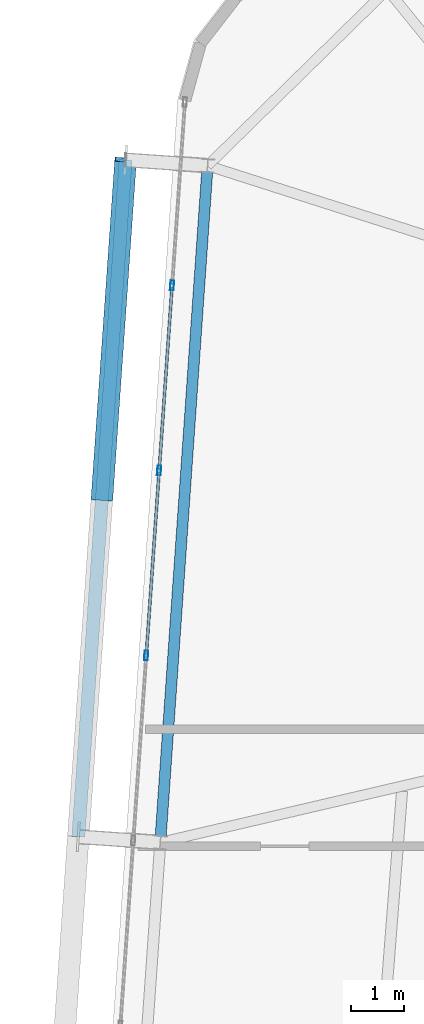
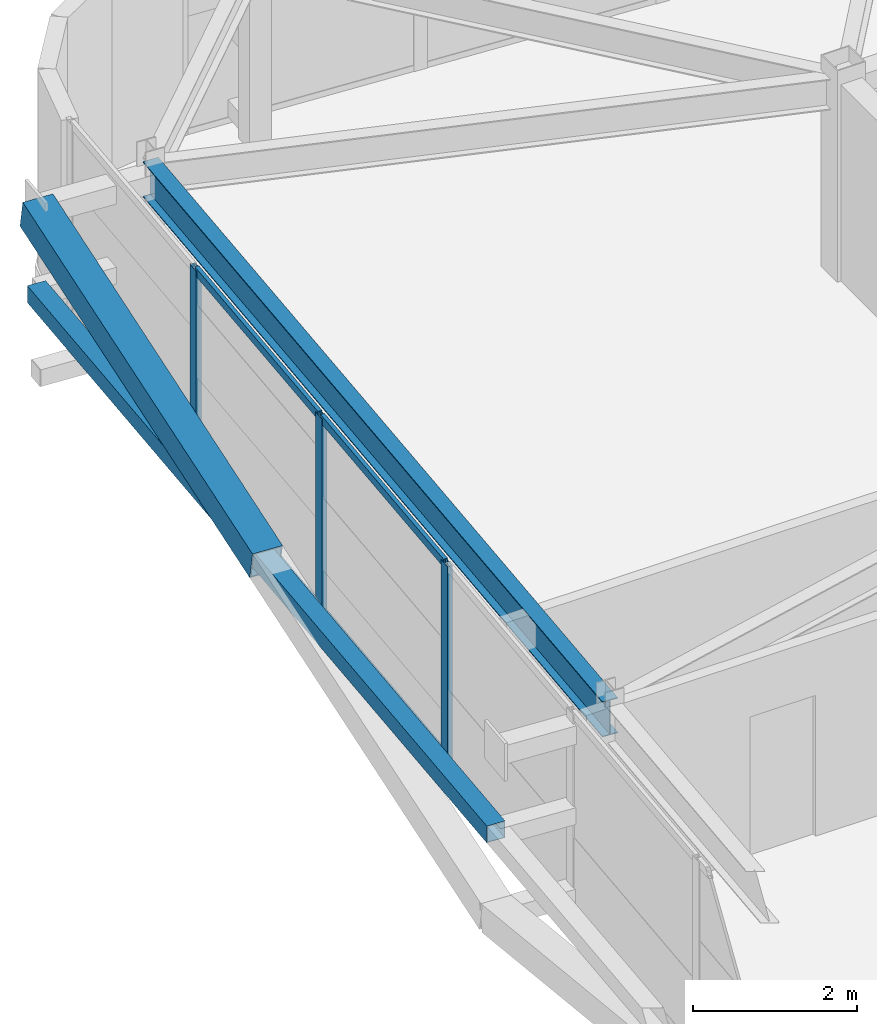
# One storey, part 16 of 47: 9 members, 1 beam, 1 element without a shape of its own.
"""IFC4 building model written with IfcOpenShell, lengths in metres."""

from ifc_helpers import new_model, si_unit, direction, frame, origin, origin_2d, place, context, subcontext, project, spatial, hollow_rectangle, i_section, extrude, source, transform, mapped, material, layer, layer_set, material_profile, profile_set, type_object, element, aggregate, save


model = new_model("IFC4")

# Units and contexts
model_context = context("Model", 3, precision=1e-05, world=origin(), true_north=direction((0.0, 1.0)))
body_context = subcontext(model_context, "Body", "Model", "MODEL_VIEW")
ifc_project = project(units=[si_unit("LENGTHUNIT", "METRE"), si_unit("AREAUNIT", "SQUARE_METRE"), si_unit("VOLUMEUNIT", "CUBIC_METRE"), si_unit("PLANEANGLEUNIT", "RADIAN"), si_unit("MASSUNIT", "GRAM", prefix="KILO")], contexts=[model_context])

# Site, building, storey
site_placement = place(None, origin())
site = spatial("IfcSite", under=ifc_project, at=site_placement, CompositionType="ELEMENT")
building_placement = place(site_placement, origin())
building = spatial("IfcBuilding", under=site, at=building_placement, Name="Taldren Reach Tower", CompositionType="ELEMENT")
storey_placement = place(building_placement, frame((0.0, 0.0, 142.449951171875)))
storey = spatial("IfcBuildingStorey", under=building, at=storey_placement, Name="L43", CompositionType="ELEMENT", Elevation=142.449951171875)

# Beam
ifc_material_1 = material(Name="Steel Gr 350 (350PLUS)", Category="steel")
ifc_material_profile_1 = material_profile(ifc_material_1, i_section(OverallWidth=0.208984375, OverallDepth=0.528076171875, WebThickness=0.009521484375, FlangeThickness=0.01318359375, at=origin_2d()), Name="530UB82.0")
ifc_profile_set_1 = profile_set([ifc_material_profile_1], Name="Steel Gr 350 (350PLUS)")
beam_type = type_object("IfcBeamType", Name="SP-UB530B", PredefinedType="SPANDREL", material=ifc_profile_set_1)
shared_shape_1 = source(origin(), body_context, "Body", "SweptSolid", [
    extrude(i_section(OverallWidth=0.208984375, OverallDepth=0.528076171875, WebThickness=0.009521484375, FlangeThickness=0.01318359375, at=origin_2d()), origin(), (0.0, 0.0, 1.0), 12.800048828125),
])
beam_placement = place(storey_placement, frame((10.754638671875, 34.63720703125, 2.666015625), z_axis=(-0.069751876777, -0.9975643717, 0.0), x_axis=(0.9975643717, -0.069751876777, 0.0)))
element("IfcBeam", 1, at=beam_placement, inside=storey, type_object=beam_type, Name="Perimeter spandrel B3 W3-W2 L43", PredefinedType="SPANDREL", context=body_context, shape_type="MappedRepresentation", body=[
    mapped(shared_shape_1, transform((0.0, 0.0, 0.0), scale=1.0)),
])

# Members
ifc_material_2 = material(Name="Steel Gr 350 (C350L0)", Category="steel")
ifc_material_profile_2 = material_profile(ifc_material_2, hollow_rectangle(XDim=0.25, YDim=0.25, WallThickness=0.010009765625, at=origin_2d()), Name="250x250x10.0SHS")
ifc_profile_set_2 = profile_set([ifc_material_profile_2], Name="Steel Gr 350 (C350L0)")
member_type_1 = type_object("IfcMemberType", Name="MB-POST250", PredefinedType="POST", material=ifc_profile_set_2)
shared_shape_2 = source(origin(), body_context, "Body", "SweptSolid", [
    extrude(hollow_rectangle(XDim=0.25, YDim=0.25, WallThickness=0.010009765625, at=origin_2d()), origin(), (0.0, 0.0, 1.0), 12.800048828125),
])
member_1_placement = place(storey_placement, frame((8.3154296875, 21.9765625, 1.43505859375), z_axis=(0.069770857464, 0.997563044348, 0.0), x_axis=(-0.997563044348, 0.069770857464, 0.0)))
element("IfcMember", 2, at=member_1_placement, inside=storey, type_object=member_type_1, Name="Exoskeleton mid-height ring chord B3-W2 L43", PredefinedType="POST", context=body_context, shape_type="MappedRepresentation", body=[
    mapped(shared_shape_2, transform((0.0, 0.0, 0.0), scale=1.0)),
])
ifc_material_3 = material(Name="Steel Gr 450 (C450L0)", Category="steel")
ifc_material_profile_3 = material_profile(ifc_material_3, hollow_rectangle(XDim=0.409912109375, YDim=0.409912109375, WallThickness=0.01611328125, at=origin_2d()), Name="410x410x16.0SHS")
ifc_profile_set_3 = profile_set([ifc_material_profile_3], Name="Steel Gr 450 (C450L0)")
member_type_2 = type_object("IfcMemberType", Name="MB-EXO406", PredefinedType="BRACE", material=ifc_profile_set_3)
shared_shape_3 = source(origin(), body_context, "Body", "SweptSolid", [
    extrude(hollow_rectangle(XDim=0.409912109375, YDim=0.409912109375, WallThickness=0.01611328125, at=origin_2d()), origin(), (0.0, 0.0, 1.0), 6.514404296875),
])
member_2_placement = place(storey_placement, frame((8.761962890625, 28.36083984375, 1.43505859375), z_axis=(0.068545126831, 0.980056649402, 0.186522195865), x_axis=(-0.997563137195, 0.069769529958, 0.0)))
element("IfcMember", 3, at=member_2_placement, inside=storey, type_object=member_type_2, Name="Exoskeleton Diagrid Brace B3-W2 L43", PredefinedType="BRACE", context=body_context, shape_type="MappedRepresentation", body=[
    mapped(shared_shape_3, transform((0.0, 0.0, 0.0), scale=1.0)),
])

# Curtain wall, members
ifc_material_4 = material(Name="Aluminium and Low-E Glass Unitised System", Category="aluminium")
ifc_layer = layer(ifc_material_4, 0.159912109375)
ifc_layer_set = layer_set([ifc_layer], Name="Aluminium and Low-E Glass Unitised System")
curtain_wall_type = type_object("IfcCurtainWallType", Name="CW-SYS-4", PredefinedType="NOTDEFINED", material=ifc_layer_set)
curtain_wall_placement = place(storey_placement, origin())
curtain_wall = element("IfcCurtainWall", 4, at=curtain_wall_placement, inside=storey, type_object=curtain_wall_type, Name="Unitised curtain wall CW-L43-W", PredefinedType="NOTDEFINED")
ifc_material_5 = material(Name="Anodised Aluminium 6063-T6", Category="aluminium")
ifc_material_profile_4 = material_profile(ifc_material_5, hollow_rectangle(XDim=0.070068359375, YDim=0.179931640625, WallThickness=0.00390625, at=origin_2d()), Name="ALU-180x70x4RHS")
ifc_profile_set_4 = profile_set([ifc_material_profile_4], Name="Anodised Aluminium 6063-T6")
member_type_3 = type_object("IfcMemberType", Name="CW-MUL-180", PredefinedType="MULLION", material=ifc_profile_set_4)
shared_shape_4 = source(origin(), body_context, "Body", "SweptSolid", [
    extrude(hollow_rectangle(XDim=0.070068359375, YDim=0.179931640625, WallThickness=0.00390625, at=origin_2d()), origin(), (0.0, 0.0, 1.0), 2.929931640625),
])
member_3_placement = place(storey_placement, frame((10.08544921875, 32.37841796875, 0.0), z_axis=(0.0, 0.0, 1.0), x_axis=(0.997564052812, -0.069756437251, 0.0)))
member_3 = element("IfcMember", 5, at=member_3_placement, type_object=member_type_3, Name="CW-4 mullion 2", PredefinedType="MULLION", context=body_context, shape_type="MappedRepresentation", body=[
    mapped(shared_shape_4, transform((0.0, 0.0, 0.0), scale=1.0)),
])
member_4_placement = place(storey_placement, frame((9.84130859375, 28.886962890625, 0.0), z_axis=(0.0, 0.0, 1.0), x_axis=(0.997564052812, -0.069756437251, 0.0)))
member_4 = element("IfcMember", 6, at=member_4_placement, type_object=member_type_3, Name="CW-4 mullion 3", PredefinedType="MULLION", context=body_context, shape_type="MappedRepresentation", body=[
    mapped(shared_shape_4, transform((0.0, 0.0, 0.0), scale=1.0)),
])
member_5_placement = place(storey_placement, frame((9.59716796875, 25.395263671875, 0.0), z_axis=(0.0, 0.0, 1.0), x_axis=(0.997564052812, -0.069756437251, 0.0)))
member_5 = element("IfcMember", 7, at=member_5_placement, type_object=member_type_3, Name="CW-4 mullion 4", PredefinedType="MULLION", context=body_context, shape_type="MappedRepresentation", body=[
    mapped(shared_shape_4, transform((0.0, 0.0, 0.0), scale=1.0)),
])
ifc_material_profile_5 = material_profile(ifc_material_5, hollow_rectangle(XDim=0.054931640625, YDim=0.1201171875, WallThickness=0.0029296875, at=origin_2d()), Name="ALU-120x55x3RHS")
ifc_profile_set_5 = profile_set([ifc_material_profile_5], Name="Anodised Aluminium 6063-T6")
member_type_4 = type_object("IfcMemberType", Name="CW-TRN-135", PredefinedType="USERDEFINED", material=ifc_profile_set_5)
shared_shape_5 = source(origin(), body_context, "Body", "SweptSolid", [
    extrude(hollow_rectangle(XDim=0.054931640625, YDim=0.1201171875, WallThickness=0.0029296875, at=origin_2d()), origin(), (0.0, 0.0, 1.0), 3.429931640625),
])
member_6_placement = place(storey_placement, frame((10.0830078125, 32.343505859375, 0.027587890625), z_axis=(-0.069754754695, -0.997564170466, 0.0), x_axis=(0.997564170466, -0.069754754695, 0.0)))
member_6 = element("IfcMember", 8, at=member_6_placement, type_object=member_type_4, Name="CW-4 transom 2.1", ObjectType="TRANSOM", PredefinedType="USERDEFINED", context=body_context, shape_type="MappedRepresentation", body=[
    mapped(shared_shape_5, transform((0.0, 0.0, 0.0), scale=1.0)),
])
member_7_placement = place(storey_placement, frame((10.0830078125, 32.343505859375, 2.902587890625), z_axis=(-0.069754754695, -0.997564170466, 0.0), x_axis=(0.997564170466, -0.069754754695, 0.0)))
member_7 = element("IfcMember", 9, at=member_7_placement, type_object=member_type_4, Name="CW-4 transom 2.2", ObjectType="TRANSOM", PredefinedType="USERDEFINED", context=body_context, shape_type="MappedRepresentation", body=[
    mapped(shared_shape_5, transform((0.0, 0.0, 0.0), scale=1.0)),
])
shared_shape_6 = source(origin(), body_context, "Body", "SweptSolid", [
    extrude(hollow_rectangle(XDim=0.054931640625, YDim=0.1201171875, WallThickness=0.0029296875, at=origin_2d()), origin(), (0.0, 0.0, 1.0), 3.43017578125),
])
member_8_placement = place(storey_placement, frame((9.8388671875, 28.85205078125, 0.027587890625), z_axis=(-0.069749802114, -0.997564516763, 0.0), x_axis=(0.997564516763, -0.069749802114, 0.0)))
member_8 = element("IfcMember", 10, at=member_8_placement, type_object=member_type_4, Name="CW-4 transom 3.1", ObjectType="TRANSOM", PredefinedType="USERDEFINED", context=body_context, shape_type="MappedRepresentation", body=[
    mapped(shared_shape_6, transform((0.0, 0.0, 0.0), scale=1.0)),
])
member_9_placement = place(storey_placement, frame((9.8388671875, 28.85205078125, 2.902587890625), z_axis=(-0.069749802114, -0.997564516763, 0.0), x_axis=(0.997564516763, -0.069749802114, 0.0)))
member_9 = element("IfcMember", 11, at=member_9_placement, type_object=member_type_4, Name="CW-4 transom 3.2", ObjectType="TRANSOM", PredefinedType="USERDEFINED", context=body_context, shape_type="MappedRepresentation", body=[
    mapped(shared_shape_6, transform((0.0, 0.0, 0.0), scale=1.0)),
])
aggregate(curtain_wall, [member_3, member_4, member_5, member_6, member_7, member_8, member_9])

save(model, "model.ifc")
